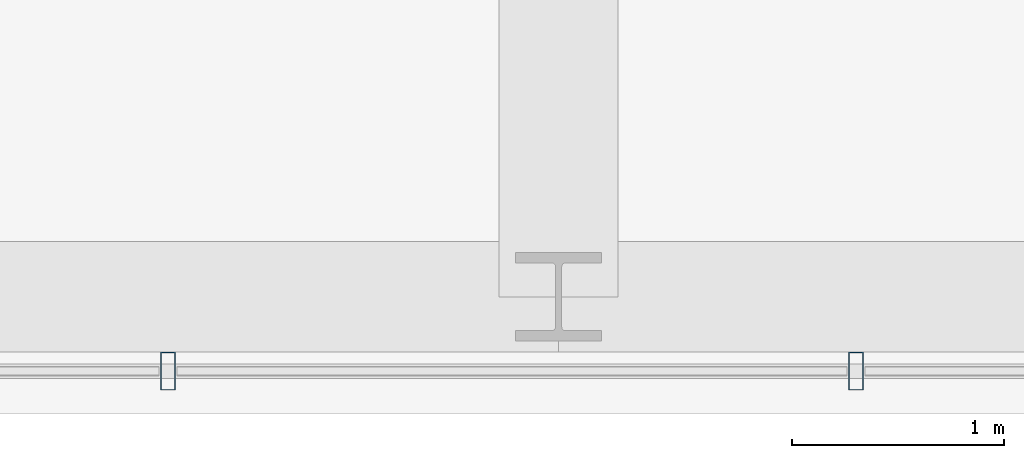
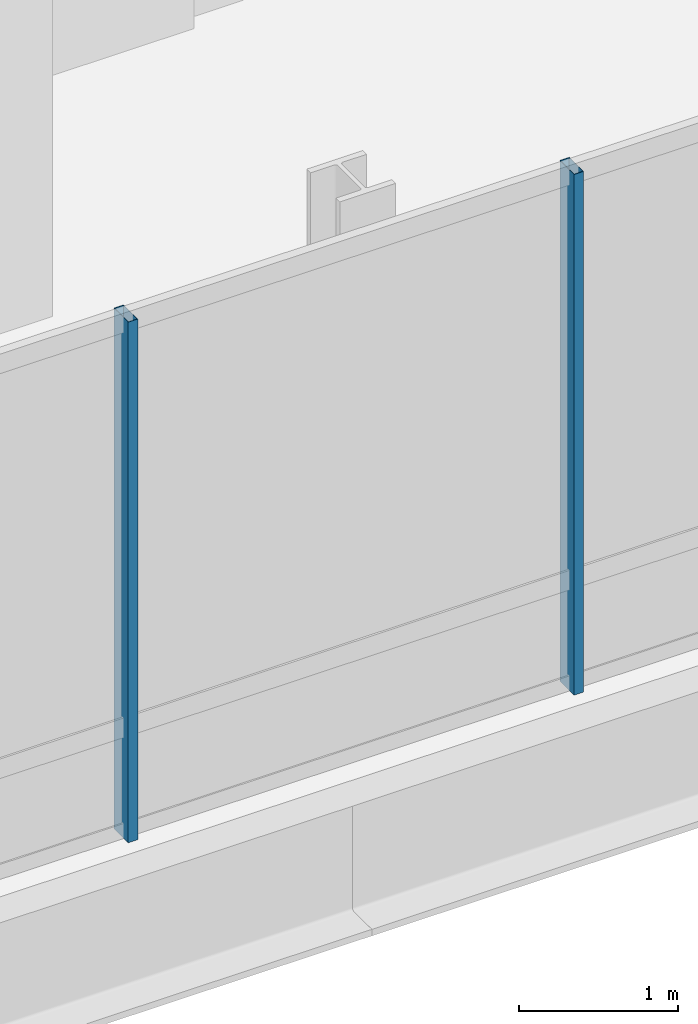
# One storey, part 7 of 42: 2 members, 1 element without a shape of its own.
"""IFC4 building model written with IfcOpenShell, lengths in metres."""

from ifc_helpers import new_model, si_unit, direction, frame, origin, origin_2d, place, context, subcontext, project, spatial, hollow_rectangle, extrude, material, material_profile, profile_set, type_object, element, aggregate, save


model = new_model("IFC4")

# Units and contexts
model_context = context("Model", 3, precision=1e-05, world=origin(), true_north=direction((0.0, 1.0)))
body_context = subcontext(model_context, "Body", "Model", "MODEL_VIEW")
ifc_project = project(units=[si_unit("LENGTHUNIT", "METRE"), si_unit("AREAUNIT", "SQUARE_METRE"), si_unit("VOLUMEUNIT", "CUBIC_METRE"), si_unit("PLANEANGLEUNIT", "RADIAN"), si_unit("MASSUNIT", "GRAM", prefix="KILO")], contexts=[model_context])

# Site, building, storey
site_placement = place(None, origin())
site = spatial("IfcSite", under=ifc_project, at=site_placement, CompositionType="ELEMENT")
building_placement = place(site_placement, origin())
building = spatial("IfcBuilding", under=site, at=building_placement, Name="Punatoya Terracotta Tower", CompositionType="ELEMENT")
storey_placement = place(building_placement, frame((0.0, 0.0, 325.800048828125)))
storey = spatial("IfcBuildingStorey", under=building, at=storey_placement, Name="L77", CompositionType="ELEMENT", Elevation=325.800048828125)

# Curtain wall, members
ifc_material_1 = material(Name="Aluminium 6063-T6 + Double Low-E Glass", Category="aluminium")
curtain_wall_type = type_object("IfcCurtainWallType", Name="CW-OBS", PredefinedType="NOTDEFINED", material=ifc_material_1)
curtain_wall_placement = place(storey_placement, origin())
curtain_wall = element("IfcCurtainWall", 1, at=curtain_wall_placement, inside=storey, type_object=curtain_wall_type, Name="L77 Curtain Wall CW-L77-S01-1", PredefinedType="NOTDEFINED")
ifc_material_2 = material(Name="Aluminium 6063-T6", Category="aluminium")
ifc_material_profile = material_profile(ifc_material_2, hollow_rectangle(XDim=0.070068359375, YDim=0.179931640625, WallThickness=0.00390625, at=origin_2d()))
ifc_profile_set = profile_set([ifc_material_profile], Name="Aluminium 6063-T6")
member_type = type_object("IfcMemberType", Name="CW-MUL-M3", PredefinedType="MULLION", material=ifc_profile_set)
member_1_placement = place(storey_placement, frame((-5.639404296875, -23.25, 0.0), z_axis=(0.0, 0.0, 1.0), x_axis=(1.0, 0.0, 0.0)))
member_1 = element("IfcMember", 2, at=member_1_placement, type_object=member_type, Name="CW-L77-S01-1 Mullion 05", PredefinedType="MULLION", context=body_context, shape_type="SweptSolid", body=[
    extrude(hollow_rectangle(XDim=0.070068359375, YDim=0.179931640625, WallThickness=0.00390625, at=origin_2d()), origin(), (0.0, 0.0, 1.0), 4.0),
])
member_2_placement = place(storey_placement, frame((-2.39990234375, -23.25, 0.0), z_axis=(0.0, 0.0, 1.0), x_axis=(1.0, 0.0, 0.0)))
member_2 = element("IfcMember", 3, at=member_2_placement, type_object=member_type, Name="CW-L77-S01-1 Mullion 06", PredefinedType="MULLION", context=body_context, shape_type="SweptSolid", body=[
    extrude(hollow_rectangle(XDim=0.070068359375, YDim=0.179931640625, WallThickness=0.00390625, at=origin_2d()), origin(), (0.0, 0.0, 1.0), 4.0),
])
aggregate(curtain_wall, [member_1, member_2])

save(model, "model.ifc")
